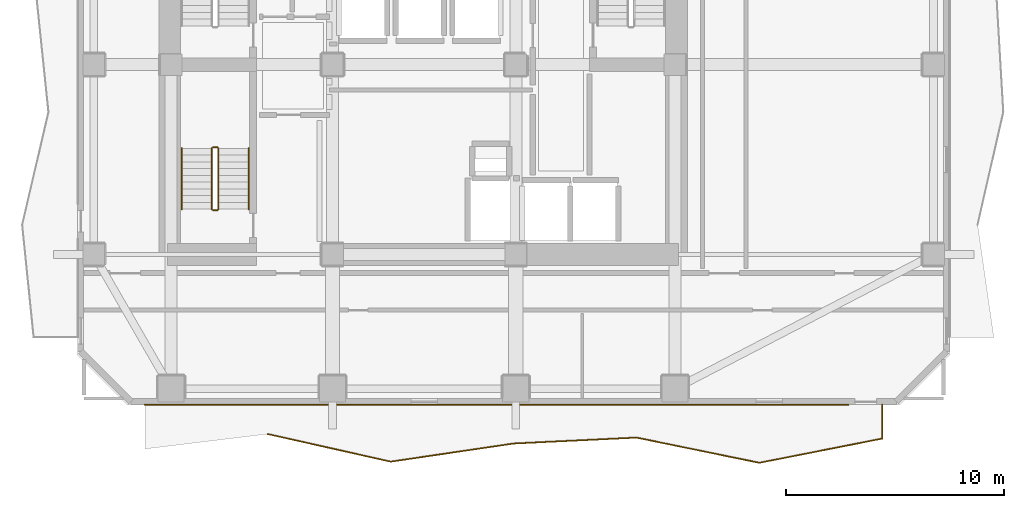
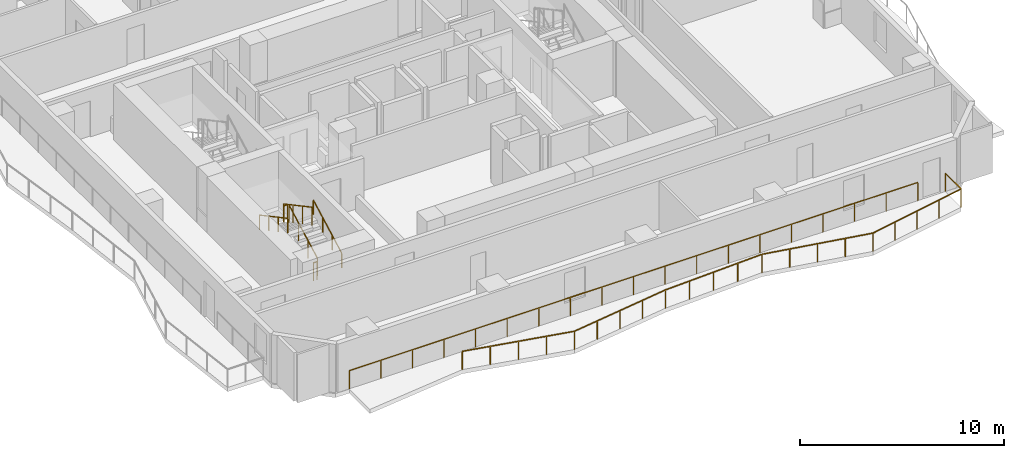
# One storey, part 7 of 9: 8 railings.
"""IFC4 building model written with IfcOpenShell, lengths in metres."""

from ifc_helpers import new_model, si_unit, direction, frame, origin, origin_2d, place, context, subcontext, project, spatial, rectangle, extrude, material, type_object, element, save


model = new_model("IFC4")

# Units and contexts
model_context = context("Model", 3, precision=1e-05, world=origin(), true_north=direction((0.0, 1.0)))
body_context = subcontext(model_context, "Body", "Model", "MODEL_VIEW")
ifc_project = project(units=[si_unit("LENGTHUNIT", "METRE"), si_unit("AREAUNIT", "SQUARE_METRE"), si_unit("VOLUMEUNIT", "CUBIC_METRE"), si_unit("PLANEANGLEUNIT", "RADIAN"), si_unit("MASSUNIT", "GRAM", prefix="KILO")], contexts=[model_context])

# Site, building, storey
site_placement = place(None, origin())
site = spatial("IfcSite", under=ifc_project, at=site_placement, CompositionType="ELEMENT")
building_placement = place(site_placement, origin())
building = spatial("IfcBuilding", under=site, at=building_placement, Name="Solanera Arch Residences", CompositionType="ELEMENT")
storey_placement = place(building_placement, frame((0.0, 0.0, 162.52001953125)))
storey = spatial("IfcBuildingStorey", under=building, at=storey_placement, Name="L47", CompositionType="ELEMENT", Elevation=162.52001953125)

# Railings
ifc_material_1 = material(Name="Steel S355 (ASTM A992 / A572 Grade 50)", Category="steel")
railing_type_1 = type_object("IfcRailingType", Name="Balustrade Railing BL-1100", PredefinedType="BALUSTRADE", material=ifc_material_1)
railing_1_placement = place(storey_placement, frame((17.8330078125, 13.77001953125, 0.0)))
element("IfcRailing", 1, at=railing_1_placement, inside=storey, type_object=railing_type_1, Name="L47 S Balcony Balustrade 1", PredefinedType="BALUSTRADE", context=body_context, shape_type="SweptSolid", body=[
    extrude(rectangle(XDim=0.048095703125, YDim=0.048095703125, at=origin_2d()), frame((0.0, 0.0, 1.09619140625), z_axis=(0.975666991629, -0.219257659947, 0.0), x_axis=(0.219257659947, 0.975666991629, 0.0)), (0.0, 0.0, 1.0), 5.774658203125),
    extrude(rectangle(XDim=0.048095703125, YDim=0.048095703125, at=origin_2d()), frame((5.634033203125, -1.26611328125, 1.09619140625), z_axis=(0.989291682987, 0.145951930347, 0.0), x_axis=(-0.145951930347, 0.989291682987, 0.0)), (0.0, 0.0, 1.0), 5.694091796875),
    extrude(rectangle(XDim=0.048095703125, YDim=0.048095703125, at=origin_2d()), frame((11.26708984375, -0.43505859375, 1.09619140625), z_axis=(0.998836379526, 0.048227450017, 0.0), x_axis=(-0.048227450017, 0.998836379526, 0.0)), (0.0, 0.0, 1.0), 5.639404296875),
    extrude(rectangle(XDim=0.048095703125, YDim=0.048095703125, at=origin_2d()), frame((16.89990234375, -0.1630859375, 1.09619140625), z_axis=(0.979592200913, -0.200995323106, 0.0), x_axis=(0.200995323106, 0.979592200913, 0.0)), (0.0, 0.0, 1.0), 5.75146484375),
    extrude(rectangle(XDim=0.048095703125, YDim=0.048095703125, at=origin_2d()), frame((22.533935546875, -1.319091796875, 1.09619140625), z_axis=(0.9810972978, 0.193515095665, 0.0), x_axis=(-0.193515095665, 0.9810972978, 0.0)), (0.0, 0.0, 1.0), 5.74169921875),
    extrude(rectangle(XDim=0.048095703125, YDim=0.048095703125, at=origin_2d()), frame((28.1669921875, -0.2080078125, 1.09619140625), z_axis=(0.0, 1.0, 0.0), x_axis=(-1.0, 0.0, 0.0)), (0.0, 0.0, 1.0), 1.55810546875),
    extrude(rectangle(XDim=0.0419921875, YDim=0.0419921875, at=origin_2d()), origin(), (0.0, 0.0, 1.0), 1.072021484375),
    extrude(rectangle(XDim=0.0419921875, YDim=0.0419921875, at=origin_2d()), frame((1.408447265625, -0.31640625, 0.0)), (0.0, 0.0, 1.0), 1.072021484375),
    extrude(rectangle(XDim=0.0419921875, YDim=0.0419921875, at=origin_2d()), frame((2.81689453125, -0.633056640625, 0.0)), (0.0, 0.0, 1.0), 1.072021484375),
    extrude(rectangle(XDim=0.0419921875, YDim=0.0419921875, at=origin_2d()), frame((4.2255859375, -0.94970703125, 0.0)), (0.0, 0.0, 1.0), 1.072021484375),
    extrude(rectangle(XDim=0.0419921875, YDim=0.0419921875, at=origin_2d()), frame((5.634033203125, -1.26611328125, 0.0)), (0.0, 0.0, 1.0), 1.072021484375),
    extrude(rectangle(XDim=0.0419921875, YDim=0.0419921875, at=origin_2d()), frame((7.042236328125, -1.058349609375, 0.0)), (0.0, 0.0, 1.0), 1.072021484375),
    extrude(rectangle(XDim=0.0419921875, YDim=0.0419921875, at=origin_2d()), frame((8.45068359375, -0.8505859375, 0.0)), (0.0, 0.0, 1.0), 1.072021484375),
    extrude(rectangle(XDim=0.0419921875, YDim=0.0419921875, at=origin_2d()), frame((9.85888671875, -0.642822265625, 0.0)), (0.0, 0.0, 1.0), 1.072021484375),
    extrude(rectangle(XDim=0.0419921875, YDim=0.0419921875, at=origin_2d()), frame((11.26708984375, -0.43505859375, 0.0)), (0.0, 0.0, 1.0), 1.072021484375),
    extrude(rectangle(XDim=0.0419921875, YDim=0.0419921875, at=origin_2d()), frame((12.67529296875, -0.3671875, 0.0)), (0.0, 0.0, 1.0), 1.072021484375),
    extrude(rectangle(XDim=0.0419921875, YDim=0.0419921875, at=origin_2d()), frame((14.08349609375, -0.299072265625, 0.0)), (0.0, 0.0, 1.0), 1.072021484375),
    extrude(rectangle(XDim=0.0419921875, YDim=0.0419921875, at=origin_2d()), frame((15.49169921875, -0.23095703125, 0.0)), (0.0, 0.0, 1.0), 1.072021484375),
    extrude(rectangle(XDim=0.0419921875, YDim=0.0419921875, at=origin_2d()), frame((16.89990234375, -0.1630859375, 0.0)), (0.0, 0.0, 1.0), 1.072021484375),
    extrude(rectangle(XDim=0.0419921875, YDim=0.0419921875, at=origin_2d()), frame((18.308349609375, -0.4521484375, 0.0)), (0.0, 0.0, 1.0), 1.072021484375),
    extrude(rectangle(XDim=0.0419921875, YDim=0.0419921875, at=origin_2d()), frame((19.716796875, -0.7412109375, 0.0)), (0.0, 0.0, 1.0), 1.072021484375),
    extrude(rectangle(XDim=0.0419921875, YDim=0.0419921875, at=origin_2d()), frame((21.12548828125, -1.030029296875, 0.0)), (0.0, 0.0, 1.0), 1.072021484375),
    extrude(rectangle(XDim=0.0419921875, YDim=0.0419921875, at=origin_2d()), frame((22.533935546875, -1.319091796875, 0.0)), (0.0, 0.0, 1.0), 1.072021484375),
    extrude(rectangle(XDim=0.0419921875, YDim=0.0419921875, at=origin_2d()), frame((23.942138671875, -1.041259765625, 0.0)), (0.0, 0.0, 1.0), 1.072021484375),
    extrude(rectangle(XDim=0.0419921875, YDim=0.0419921875, at=origin_2d()), frame((25.3505859375, -0.763671875, 0.0)), (0.0, 0.0, 1.0), 1.072021484375),
    extrude(rectangle(XDim=0.0419921875, YDim=0.0419921875, at=origin_2d()), frame((26.7587890625, -0.48583984375, 0.0)), (0.0, 0.0, 1.0), 1.072021484375),
    extrude(rectangle(XDim=0.0419921875, YDim=0.0419921875, at=origin_2d()), frame((28.1669921875, -0.2080078125, 0.0)), (0.0, 0.0, 1.0), 1.072021484375),
    extrude(rectangle(XDim=0.0419921875, YDim=0.0419921875, at=origin_2d()), frame((28.1669921875, 1.35009765625, 0.0)), (0.0, 0.0, 1.0), 1.072021484375),
])
railing_2_placement = place(storey_placement, frame((44.44091796875, 15.1201171875, 0.0)))
element("IfcRailing", 2, at=railing_2_placement, inside=storey, type_object=railing_type_1, Name="L47 S Balcony Balustrade 2", PredefinedType="BALUSTRADE", context=body_context, shape_type="SweptSolid", body=[
    extrude(rectangle(XDim=0.048095703125, YDim=0.048095703125, at=origin_2d()), frame((0.0, 0.0, 1.09619140625), z_axis=(-1.0, 0.0, 0.0), x_axis=(0.0, -1.0, 0.0)), (0.0, 0.0, 1.0), 32.240966796875),
    extrude(rectangle(XDim=0.0419921875, YDim=0.0419921875, at=origin_2d()), origin(), (0.0, 0.0, 1.0), 1.072021484375),
    extrude(rectangle(XDim=0.0419921875, YDim=0.0419921875, at=origin_2d()), frame((-1.791259765625, 0.0, 0.0)), (0.0, 0.0, 1.0), 1.072021484375),
    extrude(rectangle(XDim=0.0419921875, YDim=0.0419921875, at=origin_2d()), frame((-3.582275390625, 0.0, 0.0)), (0.0, 0.0, 1.0), 1.072021484375),
    extrude(rectangle(XDim=0.0419921875, YDim=0.0419921875, at=origin_2d()), frame((-5.37353515625, 0.0, 0.0)), (0.0, 0.0, 1.0), 1.072021484375),
    extrude(rectangle(XDim=0.0419921875, YDim=0.0419921875, at=origin_2d()), frame((-7.16455078125, 0.0, 0.0)), (0.0, 0.0, 1.0), 1.072021484375),
    extrude(rectangle(XDim=0.0419921875, YDim=0.0419921875, at=origin_2d()), frame((-8.955810546875, 0.0, 0.0)), (0.0, 0.0, 1.0), 1.072021484375),
    extrude(rectangle(XDim=0.0419921875, YDim=0.0419921875, at=origin_2d()), frame((-10.7470703125, 0.0, 0.0)), (0.0, 0.0, 1.0), 1.072021484375),
    extrude(rectangle(XDim=0.0419921875, YDim=0.0419921875, at=origin_2d()), frame((-12.5380859375, 0.0, 0.0)), (0.0, 0.0, 1.0), 1.072021484375),
    extrude(rectangle(XDim=0.0419921875, YDim=0.0419921875, at=origin_2d()), frame((-14.329345703125, 0.0, 0.0)), (0.0, 0.0, 1.0), 1.072021484375),
    extrude(rectangle(XDim=0.0419921875, YDim=0.0419921875, at=origin_2d()), frame((-16.12060546875, 0.0, 0.0)), (0.0, 0.0, 1.0), 1.072021484375),
    extrude(rectangle(XDim=0.0419921875, YDim=0.0419921875, at=origin_2d()), frame((-17.91162109375, 0.0, 0.0)), (0.0, 0.0, 1.0), 1.072021484375),
    extrude(rectangle(XDim=0.0419921875, YDim=0.0419921875, at=origin_2d()), frame((-19.702880859375, 0.0, 0.0)), (0.0, 0.0, 1.0), 1.072021484375),
    extrude(rectangle(XDim=0.0419921875, YDim=0.0419921875, at=origin_2d()), frame((-21.493896484375, 0.0, 0.0)), (0.0, 0.0, 1.0), 1.072021484375),
    extrude(rectangle(XDim=0.0419921875, YDim=0.0419921875, at=origin_2d()), frame((-23.28515625, 0.0, 0.0)), (0.0, 0.0, 1.0), 1.072021484375),
    extrude(rectangle(XDim=0.0419921875, YDim=0.0419921875, at=origin_2d()), frame((-25.076416015625, 0.0, 0.0)), (0.0, 0.0, 1.0), 1.072021484375),
    extrude(rectangle(XDim=0.0419921875, YDim=0.0419921875, at=origin_2d()), frame((-26.867431640625, 0.0, 0.0)), (0.0, 0.0, 1.0), 1.072021484375),
    extrude(rectangle(XDim=0.0419921875, YDim=0.0419921875, at=origin_2d()), frame((-28.65869140625, 0.0, 0.0)), (0.0, 0.0, 1.0), 1.072021484375),
    extrude(rectangle(XDim=0.0419921875, YDim=0.0419921875, at=origin_2d()), frame((-30.44970703125, 0.0, 0.0)), (0.0, 0.0, 1.0), 1.072021484375),
    extrude(rectangle(XDim=0.0419921875, YDim=0.0419921875, at=origin_2d()), frame((-32.240966796875, 0.0, 0.0)), (0.0, 0.0, 1.0), 1.072021484375),
])
ifc_material_2 = material(Name="Steel S355 (ASTM A992 / A572 Grade 50)", Category="steel")
railing_type_2 = type_object("IfcRailingType", Name="Stair Guardrail GR-1100", PredefinedType="GUARDRAIL", material=ifc_material_2)
railing_3_placement = place(storey_placement, frame((15.570068359375, 24.080078125, 0.15087890625)))
element("IfcRailing", 3, at=railing_3_placement, inside=storey, type_object=railing_type_2, Name="L47 ST-T3 stair guard 1", PredefinedType="GUARDRAIL", context=body_context, shape_type="SweptSolid", body=[
    extrude(rectangle(XDim=0.048095703125, YDim=0.048095703125, at=origin_2d()), frame((0.0, 0.0, 1.076171875), z_axis=(0.0, 0.881548766853, 0.472092969298), x_axis=(-1.0, 0.0, 0.0)), (0.0, 0.0, 1.0), 3.1650390625),
    extrude(rectangle(XDim=0.0419921875, YDim=0.0419921875, at=origin_2d()), origin(), (0.0, 0.0, 1.0), 1.052001953125),
    extrude(rectangle(XDim=0.0419921875, YDim=0.0419921875, at=origin_2d()), frame((0.0, 0.929931640625, 0.498046875)), (0.0, 0.0, 1.0), 1.052001953125),
    extrude(rectangle(XDim=0.0419921875, YDim=0.0419921875, at=origin_2d()), frame((0.0, 1.860107421875, 0.99609375)), (0.0, 0.0, 1.0), 1.052001953125),
    extrude(rectangle(XDim=0.0419921875, YDim=0.0419921875, at=origin_2d()), frame((0.0, 2.7900390625, 1.494140625)), (0.0, 0.0, 1.0), 1.052001953125),
])
railing_4_placement = place(storey_placement, frame((15.52001953125, 26.919921875, 1.64501953125)))
element("IfcRailing", 4, at=railing_4_placement, inside=storey, type_object=railing_type_2, Name="L47 ST-T3 stair guard 2", PredefinedType="GUARDRAIL", context=body_context, shape_type="SweptSolid", body=[
    extrude(rectangle(XDim=0.048095703125, YDim=0.048095703125, at=origin_2d()), frame((0.0, 0.0, 1.076171875), z_axis=(-1.0, 0.0, 0.0), x_axis=(0.0, -1.0, 0.0)), (0.0, 0.0, 1.0), 0.199951171875),
    extrude(rectangle(XDim=0.0419921875, YDim=0.0419921875, at=origin_2d()), origin(), (0.0, 0.0, 1.0), 1.052001953125),
    extrude(rectangle(XDim=0.0419921875, YDim=0.0419921875, at=origin_2d()), frame((-0.199951171875, 0.0, 0.0)), (0.0, 0.0, 1.0), 1.052001953125),
])
railing_5_placement = place(storey_placement, frame((15.27001953125, 26.8701171875, 1.81103515625)))
element("IfcRailing", 5, at=railing_5_placement, inside=storey, type_object=railing_type_2, Name="L47 ST-T3 stair guard 3", PredefinedType="GUARDRAIL", context=body_context, shape_type="SweptSolid", body=[
    extrude(rectangle(XDim=0.048095703125, YDim=0.048095703125, at=origin_2d()), frame((0.0, 0.0, 1.076171875), z_axis=(0.0, -0.881580869306, 0.472033018838), x_axis=(1.0, 0.0, 0.0)), (0.0, 0.0, 1.0), 3.164794921875),
    extrude(rectangle(XDim=0.0419921875, YDim=0.0419921875, at=origin_2d()), origin(), (0.0, 0.0, 1.0), 1.052001953125),
    extrude(rectangle(XDim=0.0419921875, YDim=0.0419921875, at=origin_2d()), frame((0.0, -0.929931640625, 0.498046875)), (0.0, 0.0, 1.0), 1.052001953125),
    extrude(rectangle(XDim=0.0419921875, YDim=0.0419921875, at=origin_2d()), frame((0.0, -1.860107421875, 0.995849609375)), (0.0, 0.0, 1.0), 1.052001953125),
    extrude(rectangle(XDim=0.0419921875, YDim=0.0419921875, at=origin_2d()), frame((0.0, -2.7900390625, 1.493896484375)), (0.0, 0.0, 1.0), 1.052001953125),
])
railing_6_placement = place(storey_placement, frame((15.52001953125, 24.030029296875, -0.01513671875)))
element("IfcRailing", 6, at=railing_6_placement, inside=storey, type_object=railing_type_2, Name="L47 ST-T3 stair guard 4", PredefinedType="GUARDRAIL", context=body_context, shape_type="SweptSolid", body=[
    extrude(rectangle(XDim=0.048095703125, YDim=0.048095703125, at=origin_2d()), frame((0.0, 0.0, 1.076171875), z_axis=(-1.0, 0.0, 0.0), x_axis=(0.0, -1.0, 0.0)), (0.0, 0.0, 1.0), 0.199951171875),
    extrude(rectangle(XDim=0.0419921875, YDim=0.0419921875, at=origin_2d()), origin(), (0.0, 0.0, 1.0), 1.052001953125),
    extrude(rectangle(XDim=0.0419921875, YDim=0.0419921875, at=origin_2d()), frame((-0.199951171875, 0.0, 0.0)), (0.0, 0.0, 1.0), 1.052001953125),
])
ifc_material_3 = material(Name="Steel S355 (ASTM A992 / A572 Grade 50)", Category="steel")
railing_type_3 = type_object("IfcRailingType", Name="Stair Wall Handrail HR-920", PredefinedType="HANDRAIL", material=ifc_material_3)
railing_7_placement = place(storey_placement, frame((16.949951171875, 24.080078125, 0.166015625)))
element("IfcRailing", 7, at=railing_7_placement, inside=storey, type_object=railing_type_3, Name="L47 ST-T3 stair handrail 1", PredefinedType="HANDRAIL", context=body_context, shape_type="SweptSolid", body=[
    extrude(rectangle(XDim=0.048095703125, YDim=0.048095703125, at=origin_2d()), frame((0.0, 0.0, 0.8759765625), z_axis=(0.0, 0.881580869306, 0.472033018838), x_axis=(-1.0, 0.0, 0.0)), (0.0, 0.0, 1.0), 3.164794921875),
    extrude(rectangle(XDim=0.0419921875, YDim=0.0419921875, at=origin_2d()), origin(), (0.0, 0.0, 1.0), 0.851806640625),
    extrude(rectangle(XDim=0.0419921875, YDim=0.0419921875, at=origin_2d()), frame((0.0, 0.929931640625, 0.498046875)), (0.0, 0.0, 1.0), 0.851806640625),
    extrude(rectangle(XDim=0.0419921875, YDim=0.0419921875, at=origin_2d()), frame((0.0, 1.860107421875, 0.995849609375)), (0.0, 0.0, 1.0), 0.851806640625),
    extrude(rectangle(XDim=0.0419921875, YDim=0.0419921875, at=origin_2d()), frame((0.0, 2.7900390625, 1.493896484375)), (0.0, 0.0, 1.0), 0.851806640625),
])
railing_8_placement = place(storey_placement, frame((13.889892578125, 26.8701171875, 1.825927734375)))
element("IfcRailing", 8, at=railing_8_placement, inside=storey, type_object=railing_type_3, Name="L47 ST-T3 stair handrail 2", PredefinedType="HANDRAIL", context=body_context, shape_type="SweptSolid", body=[
    extrude(rectangle(XDim=0.048095703125, YDim=0.048095703125, at=origin_2d()), frame((0.0, 0.0, 0.8759765625), z_axis=(0.0, -0.881548766853, 0.472092969298), x_axis=(1.0, 0.0, 0.0)), (0.0, 0.0, 1.0), 3.1650390625),
    extrude(rectangle(XDim=0.0419921875, YDim=0.0419921875, at=origin_2d()), origin(), (0.0, 0.0, 1.0), 0.851806640625),
    extrude(rectangle(XDim=0.0419921875, YDim=0.0419921875, at=origin_2d()), frame((0.0, -0.929931640625, 0.498046875)), (0.0, 0.0, 1.0), 0.851806640625),
    extrude(rectangle(XDim=0.0419921875, YDim=0.0419921875, at=origin_2d()), frame((0.0, -1.860107421875, 0.99609375)), (0.0, 0.0, 1.0), 0.851806640625),
    extrude(rectangle(XDim=0.0419921875, YDim=0.0419921875, at=origin_2d()), frame((0.0, -2.7900390625, 1.494140625)), (0.0, 0.0, 1.0), 0.851806640625),
])

save(model, "model.ifc")
